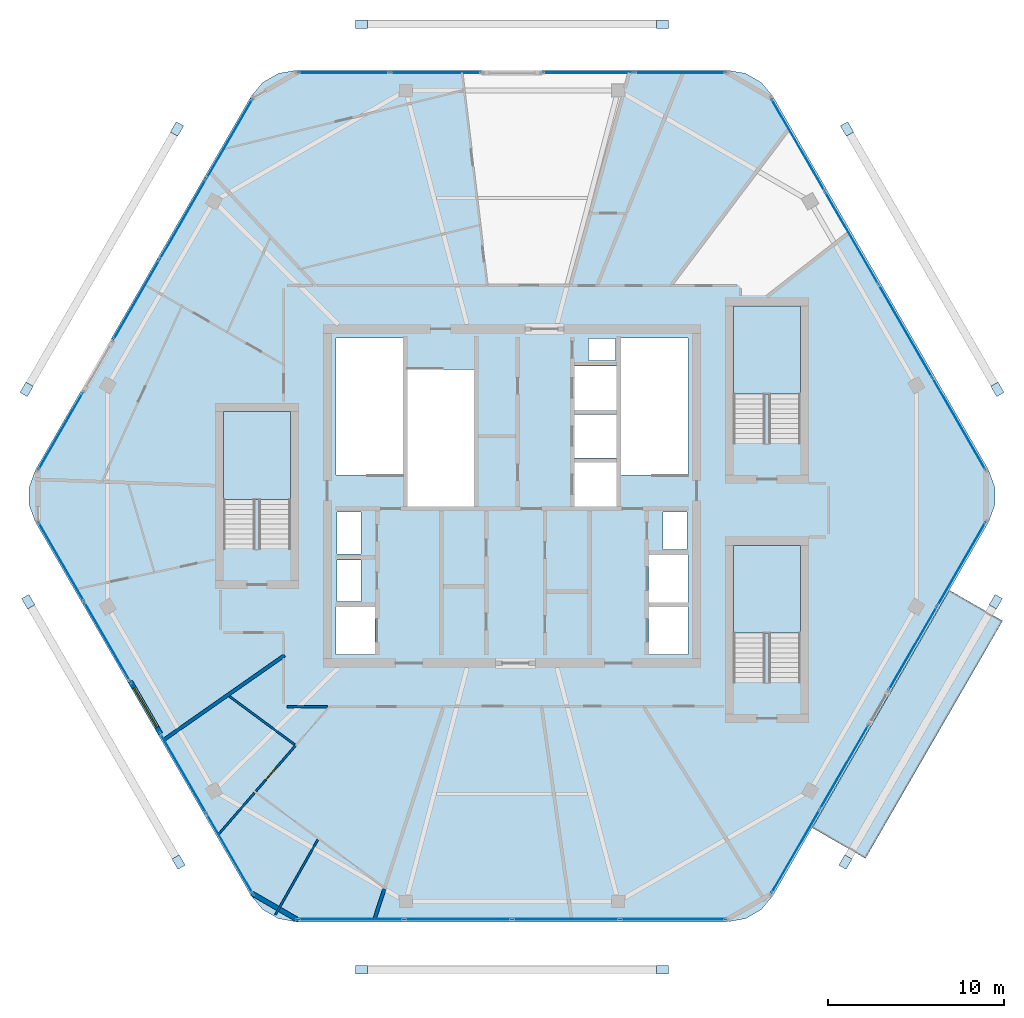
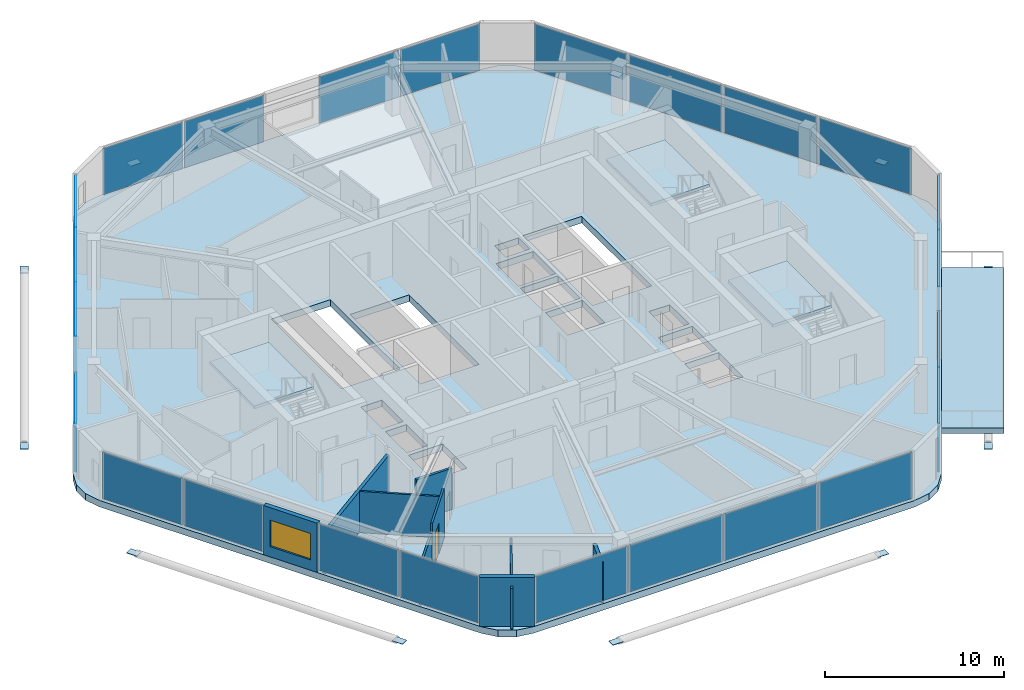
# One storey, part 15 of 22: 36 plates, 9 walls, 5 slabs, 1 door, 1 window, 2 openings, 13 elements without a shape of their own.
"""IFC4 building model written with IfcOpenShell, lengths in metres."""

import ifcopenshell
import ifcopenshell.guid

model = None  # the IFC model being written
_history = None  # IfcOwnerHistory: only IFC2X3 demands one
_inside = {}  # id of a spatial element -> (the spatial element, [elements in it])
_under = {}  # id of a project, library or spatial element -> (it, [spatial elements below it])
_declared = {}  # id of a project -> (the project, [libraries it declares])
_typed = {}  # id of a type object -> (the type object, [elements of that type])
_made_of = {}  # id of a material, layer set ... -> (it, [elements and type objects made of it])


def new_model(schema):
    """Start an empty IFC model of exactly this schema.

    Asked for "IFC4X3", IfcOpenShell would pick the latest addendum, in which some entities
    have other attributes; the version numbers below select the first issue.
    IFC2X3 requires an IfcOwnerHistory on every rooted entity: one is made here for all.
    """
    global model, _history
    if schema == "IFC4X3":
        model = ifcopenshell.file(schema_version=(4, 3, 0, 0))
    else:
        model = ifcopenshell.file(schema=schema)
    _inside.clear()
    _under.clear()
    _declared.clear()
    _typed.clear()
    _made_of.clear()
    _history = None
    if model.schema == "IFC2X3":
        org = make("IfcOrganization", Name="unknown")
        user = make(
            "IfcPersonAndOrganization",
            ThePerson=make("IfcPerson", FamilyName="unknown"),
            TheOrganization=org,
        )
        app = make(
            "IfcApplication",
            ApplicationDeveloper=org,
            Version="unknown",
            ApplicationFullName="unknown",
            ApplicationIdentifier="unknown",
        )
        _history = make(
            "IfcOwnerHistory",
            OwningUser=user,
            OwningApplication=app,
            ChangeAction="ADDED",
            CreationDate=0,
        )
    return model


def make(cls, **values):
    """One entity of the class cls with the attributes given. An attribute that is None is left unset."""
    return model.create_entity(
        cls, **{name: value for name, value in values.items() if value is not None}
    )


def rooted(cls, **values):
    """An entity with a GlobalId (a new one), such as an element, a storey or a relation."""
    return make(cls, GlobalId=ifcopenshell.guid.new(), OwnerHistory=_history, **values)


def si_unit(unit_type, name, prefix=None):
    """IfcSIUnit, for example si_unit("LENGTHUNIT", "METRE", prefix="MILLI")."""
    return make("IfcSIUnit", UnitType=unit_type, Prefix=prefix, Name=name)


def assignment(units):
    """IfcUnitAssignment: the units of a project."""
    return None if units is None else make("IfcUnitAssignment", Units=units)


def point(xyz):
    """IfcCartesianPoint."""
    return None if xyz is None else make("IfcCartesianPoint", Coordinates=xyz)


def direction(xyz):
    """IfcDirection."""
    return None if xyz is None else make("IfcDirection", DirectionRatios=xyz)


def frame(location, z_axis=None, x_axis=None):
    """IfcAxis2Placement3D, a coordinate frame: its origin and axes. An axis left out is left unset."""
    return make(
        "IfcAxis2Placement3D",
        Location=point(location),
        Axis=direction(z_axis),
        RefDirection=direction(x_axis),
    )


def frame_2d(location, x_axis=None):
    """IfcAxis2Placement2D, a coordinate frame in the plane: its origin and x axis."""
    return make(
        "IfcAxis2Placement2D", Location=point(location), RefDirection=direction(x_axis)
    )


def origin():
    """The frame at (0, 0, 0) with its axes left unset."""
    return frame((0.0, 0.0, 0.0))


def origin_2d():
    """The frame at (0, 0) in the plane with its x axis left unset."""
    return frame_2d((0.0, 0.0))


def place(relative_to, where):
    """IfcLocalPlacement: puts the frame where relative to a parent placement (None: the world)."""
    return make(
        "IfcLocalPlacement", PlacementRelTo=relative_to, RelativePlacement=where
    )


def context(
    kind, dimensions, precision=None, world=None, true_north=None, identifier=None
):
    """IfcGeometricRepresentationContext, for example the 3D "Model" context."""
    return make(
        "IfcGeometricRepresentationContext",
        ContextIdentifier=identifier,
        ContextType=kind,
        CoordinateSpaceDimension=dimensions,
        Precision=precision,
        WorldCoordinateSystem=world,
        TrueNorth=true_north,
    )


def subcontext(parent, identifier, kind, view, scale=None):
    """IfcGeometricRepresentationSubContext, for example "Body" below "Model"."""
    return make(
        "IfcGeometricRepresentationSubContext",
        ContextIdentifier=identifier,
        ContextType=kind,
        ParentContext=parent,
        TargetScale=scale,
        TargetView=view,
    )


def project(units=None, contexts=None):
    """IfcProject with its units and contexts."""
    return rooted(
        "IfcProject",
        Name="project",
        RepresentationContexts=contexts,
        UnitsInContext=assignment(units),
    )


def spatial(cls, under=None, at=None, **own):
    """A site, building, storey or space (cls), placed at a placement, below another one or the project."""
    s = rooted(cls, ObjectPlacement=at, **own)
    if under is not None:
        _under.setdefault(under.id(), (under, []))[1].append(s)
    return s


def polyline(points):
    """IfcPolyline through the points."""
    return make("IfcPolyline", Points=[point(p) for p in points])


def profile(cls, at=None, kind="AREA", **sizes):
    """A parametric profile (cls). Its sizes go by their IFC names, for example OverallWidth=200.0."""
    return make(cls, ProfileType=kind, Position=at, **sizes)


def rectangle(**sizes):
    """IfcRectangleProfileDef."""
    return profile("IfcRectangleProfileDef", **sizes)


def outline(outer, holes=None, kind="AREA"):
    """IfcArbitraryClosedProfileDef: a profile drawn as a closed curve; with holes, ...WithVoids."""
    if holes is None:
        return make("IfcArbitraryClosedProfileDef", ProfileType=kind, OuterCurve=outer)
    return make(
        "IfcArbitraryProfileDefWithVoids",
        ProfileType=kind,
        OuterCurve=outer,
        InnerCurves=holes,
    )


def extrude(swept, where, along, depth):
    """IfcExtrudedAreaSolid: the profile swept, set in the frame where, extruded along a direction by depth."""
    return make(
        "IfcExtrudedAreaSolid",
        SweptArea=swept,
        Position=where,
        ExtrudedDirection=direction(along),
        Depth=depth,
    )


def shape(context_of_items, identifier, shape_type, items):
    """IfcShapeRepresentation: the items that make up one representation, for example the "Body"."""
    return make(
        "IfcShapeRepresentation",
        ContextOfItems=context_of_items,
        RepresentationIdentifier=identifier,
        RepresentationType=shape_type,
        Items=items,
    )


def material(Name=None, Category=None):
    """IfcMaterial."""
    return make("IfcMaterial", Name=Name, Category=Category)


def layer(
    of_material, thickness, ventilated=None, Name=None, Category=None, Priority=None
):
    """IfcMaterialLayer: one layer of a wall or slab, of a material (None: an air gap)."""
    return make(
        "IfcMaterialLayer",
        Material=of_material,
        LayerThickness=thickness,
        IsVentilated=ventilated,
        Name=Name,
        Category=Category,
        Priority=Priority,
    )


def layer_set(layers, Name=None):
    """IfcMaterialLayerSet."""
    return make("IfcMaterialLayerSet", MaterialLayers=layers, LayerSetName=Name)


def made_of(thing, what):
    """Note that an element or type object is made of a material, layer set ...; save() writes the relation."""
    if what is not None:
        _made_of.setdefault(what.id(), (what, []))[1].append(thing)
    return thing


def type_object(cls, material=None, **own):
    """A type object (cls), such as IfcWallType, which elements share."""
    return made_of(rooted(cls, **own), material)


def element(
    cls,
    number,
    at=None,
    inside=None,
    cuts=None,
    type_object=None,
    material=None,
    context=None,
    identifier="Body",
    shape_type=None,
    held_by="IfcProductDefinitionShape",
    body=None,
    shapes=None,
    **own,
):
    """One element of the class cls, such as IfcWall. Its Tag is "e" and its number.

    at: its placement. inside: the storey or other place that contains it. cuts: it is an
    opening in that element (IfcRelVoidsElement). A single representation is given by context,
    identifier, shape_type and body (its items); several are given by shapes. held_by: the class
    of the entity that holds the representations. save() writes the other relations.
    """
    e = rooted(cls, Tag="e%d" % number, ObjectPlacement=at, **own)
    if body is not None:
        shapes = [shape(context, identifier, shape_type, body)]
    if shapes is not None:
        e.Representation = make(held_by, Representations=shapes)
    if inside is not None:
        _inside.setdefault(inside.id(), (inside, []))[1].append(e)
    if cuts is not None:
        rooted(
            "IfcRelVoidsElement", RelatingBuildingElement=cuts, RelatedOpeningElement=e
        )
    if type_object is not None:
        _typed.setdefault(type_object.id(), (type_object, []))[1].append(e)
    return made_of(e, material)


def fill(opening, filler):
    """IfcRelFillsElement: the door or window that sits in an opening."""
    return rooted(
        "IfcRelFillsElement",
        RelatingOpeningElement=opening,
        RelatedBuildingElement=filler,
    )


def aggregate(whole, parts):
    """IfcRelAggregates: a whole, such as a stair, and the parts it consists of."""
    return rooted("IfcRelAggregates", RelatingObject=whole, RelatedObjects=parts)


def save(model, path):
    """Write the relations noted so far, then the file.

    IfcRelAggregates (storeys below a building ...), IfcRelContainedInSpatialStructure (elements
    in a storey), IfcRelDefinesByType, IfcRelAssociatesMaterial and IfcRelDeclares: one each for
    every whole, place, type object, material and project.
    """
    for whole, parts in _under.values():
        aggregate(whole, parts)
    for where, things in _inside.values():
        rooted(
            "IfcRelContainedInSpatialStructure",
            RelatedElements=things,
            RelatingStructure=where,
        )
    for kind, things in _typed.values():
        rooted("IfcRelDefinesByType", RelatedObjects=things, RelatingType=kind)
    for what, things in _made_of.values():
        rooted("IfcRelAssociatesMaterial", RelatedObjects=things, RelatingMaterial=what)
    for by, libraries in _declared.values():
        rooted("IfcRelDeclares", RelatingContext=by, RelatedDefinitions=libraries)
    model.write(path)


model = new_model("IFC4")

# Units and contexts
model_context = context("Model", 3, precision=1e-05, world=origin(), true_north=direction((0.0, 1.0)))
body_context = subcontext(model_context, "Body", "Model", "MODEL_VIEW")
ifc_project = project(units=[si_unit("LENGTHUNIT", "METRE"), si_unit("AREAUNIT", "SQUARE_METRE"), si_unit("VOLUMEUNIT", "CUBIC_METRE"), si_unit("PLANEANGLEUNIT", "RADIAN"), si_unit("MASSUNIT", "GRAM", prefix="KILO")], contexts=[model_context])

# Site, building, storey
site_placement = place(None, origin())
site = spatial("IfcSite", under=ifc_project, at=site_placement, CompositionType="ELEMENT")
building_placement = place(site_placement, origin())
building = spatial("IfcBuilding", under=site, at=building_placement, Name="Zuhravey Tower", CompositionType="ELEMENT")
storey_placement = place(building_placement, frame((0.0, 0.0, 357.60009765625)))
storey = spatial("IfcBuildingStorey", under=building, at=storey_placement, Name="L91", CompositionType="ELEMENT", Elevation=357.60009765625)

# Plates
ifc_material_1 = material(Name="Steel SM460", Category="steel")
ifc_layer_1 = layer(ifc_material_1, 0.028076171875)
ifc_layer_set_1 = layer_set([ifc_layer_1], Name="Steel SM460")
plate_type_1 = type_object("IfcPlateType", Name="Exoskeleton Zone 4 Node Plate ND4", PredefinedType="SHEET", material=ifc_layer_set_1)
for number, where, z_axis, x_axis, name in (
    (1, (63.6044921875, 38.0654296875, -0.67822265625), (0.0, 0.0, 1.0), (-0.5, 0.866025403784, 0.0), "L91 Exoskeleton Node Gusset L91-01"),
    (2, (55.05517578125, 52.87353515625, -0.67822265625), (0.0, 0.0, 1.0), (-0.5, 0.866025403784, 0.0), "L91 Exoskeleton Node Gusset L91-02"),
    (3, (44.549560546875, 58.833984375, -0.67822265625), (0.0, 0.0, 1.0), (-1.0, 0.0, 0.0), "L91 Exoskeleton Node Gusset L91-03"),
    (4, (27.450439453125, 58.833984375, -0.67822265625), (0.0, 0.0, 1.0), (-1.0, 0.0, 0.0), "L91 Exoskeleton Node Gusset L91-04"),
    (5, (16.94482421875, 52.87353515625, -0.67822265625), (0.0, 0.0, 1.0), (-0.5, -0.866025403784, 0.0), "L91 Exoskeleton Node Gusset L91-05"),
    (6, (8.3955078125, 38.0654296875, -0.67822265625), (0.0, 0.0, 1.0), (-0.5, -0.866025403784, 0.0), "L91 Exoskeleton Node Gusset L91-06"),
    (7, (8.486328125, 25.987060546875, -0.67822265625), (0.0, 0.0, 1.0), (0.5, -0.866025403784, 0.0), "L91 Exoskeleton Node Gusset L91-07"),
    (8, (17.035888671875, 11.178955078125, -0.67822265625), (0.0, 0.0, 1.0), (0.5, -0.866025403784, 0.0), "L91 Exoskeleton Node Gusset L91-08"),
    (9, (27.450439453125, 5.060791015625, -0.67822265625), (0.0, 0.0, 1.0), (1.0, 0.0, 0.0), "L91 Exoskeleton Node Gusset L91-09"),
    (10, (44.549560546875, 5.060791015625, -0.67822265625), (0.0, 0.0, 1.0), (1.0, 0.0, 0.0), "L91 Exoskeleton Node Gusset L91-10"),
    (11, (54.964111328125, 11.178955078125, -0.67822265625), (0.0, 0.0, 1.0), (0.5, 0.866025403784, 0.0), "L91 Exoskeleton Node Gusset L91-11"),
    (12, (63.513671875, 25.987060546875, -0.67822265625), (0.0, 0.0, 1.0), (0.5, 0.866025403784, 0.0), "L91 Exoskeleton Node Gusset L91-12"),
):
    element("IfcPlate", number, at=place(storey_placement, frame(where, z_axis=z_axis, x_axis=x_axis)), inside=storey, type_object=plate_type_1, Name=name, PredefinedType="SHEET", context=body_context, shape_type="SweptSolid", body=[
        extrude(rectangle(XDim=0.679931640625, YDim=0.47998046875, at=origin_2d()), origin(), (0.0, 0.0, 1.0), 0.028076171875),
    ])

# Slabs
ifc_material_2 = material(Name="Concrete C60/75", Category="concrete")
ifc_layer_2 = layer(ifc_material_2, 0.449951171875)
ifc_layer_set_2 = layer_set([ifc_layer_2], Name="Concrete C60/75")
slab_type_1 = type_object("IfcSlabType", Name="Podium Transfer Floor Slab 450", PredefinedType="FLOOR", material=ifc_layer_set_2)
slab_1_placement = place(storey_placement, frame((0.0, 0.0, -0.4501953125)))
element("IfcSlab", 13, at=slab_1_placement, inside=storey, type_object=slab_type_1, Name="L91 Floor Slab TS45", PredefinedType="FLOOR", context=body_context, shape_type="SweptSolid", body=[
    extrude(outline(polyline([(63.1083984375, 30.52490234375), (63.458740234375, 31.48779296875), (63.458740234375, 32.51220703125), (63.1083984375, 33.47509765625), (50.83154296875, 54.739013671875), (50.173095703125, 55.52392578125), (49.285888671875, 56.0361328125), (48.27685546875, 56.214111328125), (23.72314453125, 56.214111328125), (22.714111328125, 56.0361328125), (21.826904296875, 55.52392578125), (21.16845703125, 54.739013671875), (8.8916015625, 33.47509765625), (8.541259765625, 32.51220703125), (8.541259765625, 31.48779296875), (8.8916015625, 30.52490234375), (21.16845703125, 9.260986328125), (21.826904296875, 8.47607421875), (22.714111328125, 7.9638671875), (23.72314453125, 7.785888671875), (48.27685546875, 7.785888671875), (49.285888671875, 7.9638671875), (50.173095703125, 8.47607421875), (50.83154296875, 9.260986328125), (63.1083984375, 30.52490234375)]), holes=[polyline([(29.800048828125, 33.20068359375), (29.800048828125, 41.0), (26.0, 41.0), (26.0, 33.20068359375), (29.800048828125, 33.20068359375)]), polyline([(46.0, 33.20068359375), (46.0, 41.0), (42.199951171875, 41.0), (42.199951171875, 33.20068359375), (46.0, 33.20068359375)]), polyline([(30.050048828125, 39.199462890625), (30.050048828125, 31.39990234375), (33.85009765625, 31.39990234375), (33.85009765625, 39.199462890625), (30.050048828125, 39.199462890625)]), polyline([(39.550048828125, 31.39990234375), (41.949951171875, 31.39990234375), (41.949951171875, 33.89990234375), (39.550048828125, 33.89990234375), (39.550048828125, 31.39990234375)]), polyline([(39.550048828125, 34.14990234375), (41.949951171875, 34.14990234375), (41.949951171875, 36.64990234375), (39.550048828125, 36.64990234375), (39.550048828125, 34.14990234375)]), polyline([(39.550048828125, 36.89990234375), (41.949951171875, 36.89990234375), (41.949951171875, 39.39990234375), (39.550048828125, 39.39990234375), (39.550048828125, 36.89990234375)]), polyline([(26.0, 23.0), (28.199951171875, 23.0), (28.199951171875, 25.699951171875), (26.0, 25.699951171875), (26.0, 23.0)]), polyline([(43.800048828125, 23.0), (46.0, 23.0), (46.0, 25.699951171875), (43.800048828125, 25.699951171875), (43.800048828125, 23.0)]), polyline([(43.800048828125, 25.949951171875), (46.0, 25.949951171875), (46.0, 28.64990234375), (43.800048828125, 28.64990234375), (43.800048828125, 25.949951171875)]), polyline([(26.050048828125, 26.0), (27.39990234375, 26.0), (27.39990234375, 28.35009765625), (26.050048828125, 28.35009765625), (26.050048828125, 26.0)]), polyline([(26.050048828125, 28.699951171875), (27.39990234375, 28.699951171875), (27.39990234375, 31.10009765625), (26.050048828125, 31.10009765625), (26.050048828125, 28.699951171875)]), polyline([(44.60009765625, 28.949951171875), (45.949951171875, 28.949951171875), (45.949951171875, 31.10009765625), (44.60009765625, 31.10009765625), (44.60009765625, 28.949951171875)]), polyline([(40.35009765625, 39.699951171875), (41.89990234375, 39.699951171875), (41.89990234375, 40.949951171875), (40.35009765625, 40.949951171875), (40.35009765625, 39.699951171875)])]), origin(), (0.0, 0.0, 1.0), 0.4501953125),
])
ifc_material_3 = material(Name="Concrete C50/60", Category="concrete")
ifc_layer_3 = layer(ifc_material_3, 0.3798828125)
ifc_layer_set_3 = layer_set([ifc_layer_3], Name="Concrete C50/60")
slab_type_2 = type_object("IfcSlabType", Name="Sky-Pool Structural Deck Slab 380", PredefinedType="FLOOR", material=ifc_layer_set_3)
slab_2_placement = place(storey_placement, frame((0.0, 0.0, -0.380126953125)))
element("IfcSlab", 14, at=slab_2_placement, inside=storey, type_object=slab_type_2, Name="L91 Cantilevered Sky-Pool Deck SPD38", PredefinedType="FLOOR", context=body_context, shape_type="SweptSolid", body=[
    extrude(outline(polyline([(53.0830078125, 13.13037109375), (60.883056640625, 26.640380859375), (63.901123046875, 24.89794921875), (56.10107421875, 11.387939453125), (53.0830078125, 13.13037109375)])), origin(), (0.0, 0.0, 1.0), 0.380126953125),
])

# Stair, slab
ifc_material_4 = material(Name="Concrete C40/50", Category="concrete")
stair_type = type_object("IfcStairType", Name="Housing Storey Stair Assembly 3800", PredefinedType="HALF_TURN_STAIR", material=ifc_material_4)
stair_1_placement = place(storey_placement, origin())
stair_1 = element("IfcStair", 15, at=stair_1_placement, inside=storey, type_object=stair_type, Name="L91 West Crest Stair CST1", PredefinedType="HALF_TURN_STAIR")
ifc_layer_4 = layer(ifc_material_4, 0.199951171875)
ifc_layer_set_4 = layer_set([ifc_layer_4], Name="Concrete C40/50")
slab_type_3 = type_object("IfcSlabType", Name="Stair Landing Slab 200", PredefinedType="LANDING", material=ifc_layer_set_4)
slab_3_placement = place(storey_placement, frame((0.0, 0.0, 1.699951171875)))
slab_3 = element("IfcSlab", 16, at=slab_3_placement, type_object=slab_type_3, Name="CST1 landing 1", PredefinedType="LANDING", context=body_context, shape_type="SweptSolid", body=[
    extrude(outline(polyline([(23.39990234375, 31.800048828125), (23.39990234375, 36.800048828125), (19.60009765625, 36.800048828125), (19.60009765625, 31.800048828125), (23.39990234375, 31.800048828125)])), origin(), (0.0, 0.0, 1.0), 0.199951171875),
])
aggregate(stair_1, [slab_3])

stair_2_placement = place(storey_placement, origin())
stair_2 = element("IfcStair", 17, at=stair_2_placement, inside=storey, type_object=stair_type, Name="L91 East Crest South Stair CST2", PredefinedType="HALF_TURN_STAIR")
slab_4_placement = place(storey_placement, frame((0.0, 0.0, 1.699951171875)))
slab_4 = element("IfcSlab", 18, at=slab_4_placement, type_object=slab_type_3, Name="CST2 landing 1", PredefinedType="LANDING", context=body_context, shape_type="SweptSolid", body=[
    extrude(outline(polyline([(52.39990234375, 24.199951171875), (52.39990234375, 29.199951171875), (48.60009765625, 29.199951171875), (48.60009765625, 24.199951171875), (52.39990234375, 24.199951171875)])), origin(), (0.0, 0.0, 1.0), 0.199951171875),
])
aggregate(stair_2, [slab_4])

stair_3_placement = place(storey_placement, origin())
stair_3 = element("IfcStair", 19, at=stair_3_placement, inside=storey, type_object=stair_type, Name="L91 East Crest North Stair CST3", PredefinedType="HALF_TURN_STAIR")
slab_5_placement = place(storey_placement, frame((0.0, 0.0, 1.699951171875)))
slab_5 = element("IfcSlab", 20, at=slab_5_placement, type_object=slab_type_3, Name="CST3 landing 1", PredefinedType="LANDING", context=body_context, shape_type="SweptSolid", body=[
    extrude(outline(polyline([(52.39990234375, 37.800048828125), (52.39990234375, 42.800048828125), (48.60009765625, 42.800048828125), (48.60009765625, 37.800048828125), (52.39990234375, 37.800048828125)])), origin(), (0.0, 0.0, 1.0), 0.199951171875),
])
aggregate(stair_3, [slab_5])

# Curtain wall, plates
ifc_material_5 = material(Name="Thermally broken anodised aluminium", Category="aluminium")
curtain_wall_type = type_object("IfcCurtainWallType", Name="Zone 3-4 High-Rise Curtain Wall CW4", PredefinedType="NOTDEFINED", material=ifc_material_5)
curtain_wall_1_placement = place(storey_placement, origin())
curtain_wall_1 = element("IfcCurtainWall", 21, at=curtain_wall_1_placement, inside=storey, type_object=curtain_wall_type, Name="L91 CW4 CW-L91-F6-1", PredefinedType="NOTDEFINED")
ifc_material_6 = material(Name="Triple low-E insulated vision glass", Category="glass")
ifc_layer_5 = layer(ifc_material_6, 0.0419921875)
ifc_layer_set_5 = layer_set([ifc_layer_5], Name="Triple low-E insulated vision glass")
plate_type_2 = type_object("IfcPlateType", Name="Triple Low-E Vision Panel", PredefinedType="CURTAIN_PANEL", material=ifc_layer_set_5)
plate_1_placement = place(storey_placement, frame((61.564697265625, 28.13134765625, 0.08984375), z_axis=(0.0, 0.0, 1.0), x_axis=(-0.499997285828, -0.866026970807, 0.0)))
plate_1 = element("IfcPlate", 22, at=plate_1_placement, type_object=plate_type_2, Name="CW4 panel 1.1", PredefinedType="CURTAIN_PANEL", context=body_context, shape_type="SweptSolid", body=[
    extrude(rectangle(XDim=5.4345703125, YDim=0.0419921875, at=origin_2d()), origin(), (0.0, 0.0, 1.0), 3.169921875),
])
plate_2_placement = place(storey_placement, frame((58.802490234375, 23.346923828125, 0.08984375), z_axis=(0.0, 0.0, 1.0), x_axis=(-0.499997285828, -0.866026970807, 0.0)))
plate_2 = element("IfcPlate", 23, at=plate_2_placement, type_object=plate_type_2, Name="CW4 panel 2.1", PredefinedType="CURTAIN_PANEL", context=body_context, shape_type="SweptSolid", body=[
    extrude(rectangle(XDim=5.4345703125, YDim=0.0419921875, at=origin_2d()), origin(), (0.0, 0.0, 1.0), 3.169921875),
])
aggregate(curtain_wall_1, [plate_1, plate_2])

curtain_wall_2_placement = place(storey_placement, origin())
curtain_wall_2 = element("IfcCurtainWall", 24, at=curtain_wall_2_placement, inside=storey, type_object=curtain_wall_type, Name="L91 CW4 CW-L91-F6-2", PredefinedType="NOTDEFINED")
plate_3_placement = place(storey_placement, frame((54.89501953125, 16.5791015625, 0.08984375), z_axis=(0.0, 0.0, 1.0), x_axis=(-0.500004018739, -0.866023083552, 0.0)))
plate_3 = element("IfcPlate", 25, at=plate_3_placement, type_object=plate_type_2, Name="CW4 panel 1.1", PredefinedType="CURTAIN_PANEL", context=body_context, shape_type="SweptSolid", body=[
    extrude(rectangle(XDim=5.4345703125, YDim=0.0419921875, at=origin_2d()), origin(), (0.0, 0.0, 1.0), 3.169921875),
])
plate_4_placement = place(storey_placement, frame((52.1328125, 11.794677734375, 0.08984375), z_axis=(0.0, 0.0, 1.0), x_axis=(-0.500004018739, -0.866023083552, 0.0)))
plate_4 = element("IfcPlate", 26, at=plate_4_placement, type_object=plate_type_2, Name="CW4 panel 2.1", PredefinedType="CURTAIN_PANEL", context=body_context, shape_type="SweptSolid", body=[
    extrude(rectangle(XDim=5.4345703125, YDim=0.0419921875, at=origin_2d()), origin(), (0.0, 0.0, 1.0), 3.169921875),
])
aggregate(curtain_wall_2, [plate_3, plate_4])

curtain_wall_3_placement = place(storey_placement, origin())
curtain_wall_3 = element("IfcCurtainWall", 27, at=curtain_wall_3_placement, inside=storey, type_object=curtain_wall_type, Name="L91 CW4 CW-L91-F5-1", PredefinedType="NOTDEFINED")
plate_5_placement = place(storey_placement, frame((45.156982421875, 7.92578125, 0.08984375), z_axis=(0.0, 0.0, 1.0), x_axis=(-1.0, 0.0, 0.0)))
plate_5 = element("IfcPlate", 28, at=plate_5_placement, type_object=plate_type_2, Name="CW4 panel 1.1", PredefinedType="CURTAIN_PANEL", context=body_context, shape_type="SweptSolid", body=[
    extrude(rectangle(XDim=5.984619140625, YDim=0.0419921875, at=origin_2d()), origin(), (0.0, 0.0, 1.0), 3.169921875),
])
plate_6_placement = place(storey_placement, frame((39.059814453125, 7.92578125, 0.08984375), z_axis=(0.0, 0.0, 1.0), x_axis=(-1.0, 0.0, 0.0)))
plate_6 = element("IfcPlate", 29, at=plate_6_placement, type_object=plate_type_2, Name="CW4 panel 2.1", PredefinedType="CURTAIN_PANEL", context=body_context, shape_type="SweptSolid", body=[
    extrude(rectangle(XDim=6.029541015625, YDim=0.0419921875, at=origin_2d()), origin(), (0.0, 0.0, 1.0), 3.169921875),
])
plate_7_placement = place(storey_placement, frame((32.940185546875, 7.92578125, 0.08984375), z_axis=(0.0, 0.0, 1.0), x_axis=(-1.0, 0.0, 0.0)))
plate_7 = element("IfcPlate", 30, at=plate_7_placement, type_object=plate_type_2, Name="CW4 panel 3.1", PredefinedType="CURTAIN_PANEL", context=body_context, shape_type="SweptSolid", body=[
    extrude(rectangle(XDim=6.029541015625, YDim=0.0419921875, at=origin_2d()), origin(), (0.0, 0.0, 1.0), 3.169921875),
])
plate_8_placement = place(storey_placement, frame((26.843017578125, 7.92578125, 0.08984375), z_axis=(0.0, 0.0, 1.0), x_axis=(-1.0, 0.0, 0.0)))
plate_8 = element("IfcPlate", 31, at=plate_8_placement, type_object=plate_type_2, Name="CW4 panel 4.1", PredefinedType="CURTAIN_PANEL", context=body_context, shape_type="SweptSolid", body=[
    extrude(rectangle(XDim=5.984619140625, YDim=0.0419921875, at=origin_2d()), origin(), (0.0, 0.0, 1.0), 3.169921875),
])
aggregate(curtain_wall_3, [plate_5, plate_6, plate_7, plate_8])

curtain_wall_4_placement = place(storey_placement, origin())
curtain_wall_4 = element("IfcCurtainWall", 32, at=curtain_wall_4_placement, inside=storey, type_object=curtain_wall_type, Name="L91 CW4 CW-L91-F4-1", PredefinedType="NOTDEFINED")
plate_9_placement = place(storey_placement, frame((19.939208984375, 11.670166015625, 0.08984375), z_axis=(0.0, 0.0, 1.0), x_axis=(-0.49999448997, 0.866028584979, 0.0)))
plate_9 = element("IfcPlate", 33, at=plate_9_placement, type_object=plate_type_2, Name="CW4 panel 1.1", PredefinedType="CURTAIN_PANEL", context=body_context, shape_type="SweptSolid", body=[
    extrude(rectangle(XDim=5.147216796875, YDim=0.0419921875, at=origin_2d()), origin(), (0.0, 0.0, 1.0), 3.169921875),
])
plate_10_placement = place(storey_placement, frame((17.320556640625, 16.20556640625, 0.08984375), z_axis=(0.0, 0.0, 1.0), x_axis=(-0.49999448997, 0.866028584979, 0.0)))
plate_10 = element("IfcPlate", 34, at=plate_10_placement, type_object=plate_type_2, Name="CW4 panel 2.1", PredefinedType="CURTAIN_PANEL", context=body_context, shape_type="SweptSolid", body=[
    extrude(rectangle(XDim=5.147216796875, YDim=0.0419921875, at=origin_2d()), origin(), (0.0, 0.0, 1.0), 3.169921875),
])
aggregate(curtain_wall_4, [plate_9, plate_10])

curtain_wall_5_placement = place(storey_placement, origin())
curtain_wall_5 = element("IfcCurtainWall", 35, at=curtain_wall_5_placement, inside=storey, type_object=curtain_wall_type, Name="L91 CW4 CW-L91-F4-2", PredefinedType="NOTDEFINED")
plate_11_placement = place(storey_placement, frame((12.98193359375, 23.72021484375, 0.08984375), z_axis=(0.0, 0.0, 1.0), x_axis=(-0.500001589341, 0.866024486176, 0.0)))
plate_11 = element("IfcPlate", 36, at=plate_11_placement, type_object=plate_type_2, Name="CW4 panel 1.1", PredefinedType="CURTAIN_PANEL", context=body_context, shape_type="SweptSolid", body=[
    extrude(rectangle(XDim=5.147216796875, YDim=0.0419921875, at=origin_2d()), origin(), (0.0, 0.0, 1.0), 3.169921875),
])
plate_12_placement = place(storey_placement, frame((10.36328125, 28.255859375, 0.08984375), z_axis=(0.0, 0.0, 1.0), x_axis=(-0.500001589341, 0.866024486176, 0.0)))
plate_12 = element("IfcPlate", 37, at=plate_12_placement, type_object=plate_type_2, Name="CW4 panel 2.1", PredefinedType="CURTAIN_PANEL", context=body_context, shape_type="SweptSolid", body=[
    extrude(rectangle(XDim=5.147216796875, YDim=0.0419921875, at=origin_2d()), origin(), (0.0, 0.0, 1.0), 3.169921875),
])
aggregate(curtain_wall_5, [plate_11, plate_12])

# Curtain wall, plate
curtain_wall_6_placement = place(storey_placement, origin())
curtain_wall_6 = element("IfcCurtainWall", 38, at=curtain_wall_6_placement, inside=storey, type_object=curtain_wall_type, Name="L91 CW4 CW-L91-F3-1", PredefinedType="NOTDEFINED")
plate_13_placement = place(storey_placement, frame((10.326416015625, 35.679931640625, 0.08984375), z_axis=(0.0, 0.0, 1.0), x_axis=(0.50000380979, 0.86602320419, 0.0)))
plate_13 = element("IfcPlate", 39, at=plate_13_placement, type_object=plate_type_2, Name="CW4 panel 1.1", PredefinedType="CURTAIN_PANEL", context=body_context, shape_type="SweptSolid", body=[
    extrude(rectangle(XDim=4.9990234375, YDim=0.0419921875, at=origin_2d()), origin(), (0.0, 0.0, 1.0), 3.169921875),
])
aggregate(curtain_wall_6, [plate_13])

# Curtain wall, plates
curtain_wall_7_placement = place(storey_placement, origin())
curtain_wall_7 = element("IfcCurtainWall", 40, at=curtain_wall_7_placement, inside=storey, type_object=curtain_wall_type, Name="L91 CW4 CW-L91-F3-2", PredefinedType="NOTDEFINED")
plate_14_placement = place(storey_placement, frame((14.636474609375, 43.1455078125, 0.08984375), z_axis=(0.0, 0.0, 1.0), x_axis=(0.499998880931, 0.866026049878, 0.0)))
plate_14 = element("IfcPlate", 41, at=plate_14_placement, type_object=plate_type_2, Name="CW4 panel 1.1", PredefinedType="CURTAIN_PANEL", context=body_context, shape_type="SweptSolid", body=[
    extrude(rectangle(XDim=5.181640625, YDim=0.0419921875, at=origin_2d()), origin(), (0.0, 0.0, 1.0), 3.169921875),
])
plate_15_placement = place(storey_placement, frame((17.283447265625, 47.730224609375, 0.08984375), z_axis=(0.0, 0.0, 1.0), x_axis=(0.499998880931, 0.866026049878, 0.0)))
plate_15 = element("IfcPlate", 42, at=plate_15_placement, type_object=plate_type_2, Name="CW4 panel 2.1", PredefinedType="CURTAIN_PANEL", context=body_context, shape_type="SweptSolid", body=[
    extrude(rectangle(XDim=5.2265625, YDim=0.0419921875, at=origin_2d()), origin(), (0.0, 0.0, 1.0), 3.169921875),
])
plate_16_placement = place(storey_placement, frame((19.930419921875, 52.31494140625, 0.08984375), z_axis=(0.0, 0.0, 1.0), x_axis=(0.499998880931, 0.866026049878, 0.0)))
plate_16 = element("IfcPlate", 43, at=plate_16_placement, type_object=plate_type_2, Name="CW4 panel 3.1", PredefinedType="CURTAIN_PANEL", context=body_context, shape_type="SweptSolid", body=[
    extrude(rectangle(XDim=5.181640625, YDim=0.0419921875, at=origin_2d()), origin(), (0.0, 0.0, 1.0), 3.169921875),
])
aggregate(curtain_wall_7, [plate_14, plate_15, plate_16])

curtain_wall_8_placement = place(storey_placement, origin())
curtain_wall_8 = element("IfcCurtainWall", 44, at=curtain_wall_8_placement, inside=storey, type_object=curtain_wall_type, Name="L91 CW4 CW-L91-F2-1", PredefinedType="NOTDEFINED")
plate_17_placement = place(storey_placement, frame((26.42431640625, 56.07421875, 0.08984375), z_axis=(0.0, 0.0, 1.0), x_axis=(1.0, 0.0, 0.0)))
plate_17 = element("IfcPlate", 45, at=plate_17_placement, type_object=plate_type_2, Name="CW4 panel 1.1", PredefinedType="CURTAIN_PANEL", context=body_context, shape_type="SweptSolid", body=[
    extrude(rectangle(XDim=5.147216796875, YDim=0.0419921875, at=origin_2d()), origin(), (0.0, 0.0, 1.0), 3.169921875),
])
plate_18_placement = place(storey_placement, frame((31.661376953125, 56.07421875, 0.08984375), z_axis=(0.0, 0.0, 1.0), x_axis=(1.0, 0.0, 0.0)))
plate_18 = element("IfcPlate", 46, at=plate_18_placement, type_object=plate_type_2, Name="CW4 panel 2.1", PredefinedType="CURTAIN_PANEL", context=body_context, shape_type="SweptSolid", body=[
    extrude(rectangle(XDim=5.147216796875, YDim=0.0419921875, at=origin_2d()), origin(), (0.0, 0.0, 1.0), 3.169921875),
])
aggregate(curtain_wall_8, [plate_17, plate_18])

curtain_wall_9_placement = place(storey_placement, origin())
curtain_wall_9 = element("IfcCurtainWall", 47, at=curtain_wall_9_placement, inside=storey, type_object=curtain_wall_type, Name="L91 CW4 CW-L91-F2-2", PredefinedType="NOTDEFINED")
plate_19_placement = place(storey_placement, frame((40.338623046875, 56.07421875, 0.08984375), z_axis=(0.0, 0.0, 1.0), x_axis=(1.0, 0.0, 0.0)))
plate_19 = element("IfcPlate", 48, at=plate_19_placement, type_object=plate_type_2, Name="CW4 panel 1.1", PredefinedType="CURTAIN_PANEL", context=body_context, shape_type="SweptSolid", body=[
    extrude(rectangle(XDim=5.147216796875, YDim=0.0419921875, at=origin_2d()), origin(), (0.0, 0.0, 1.0), 3.169921875),
])
plate_20_placement = place(storey_placement, frame((45.57568359375, 56.07421875, 0.08984375), z_axis=(0.0, 0.0, 1.0), x_axis=(1.0, 0.0, 0.0)))
plate_20 = element("IfcPlate", 49, at=plate_20_placement, type_object=plate_type_2, Name="CW4 panel 2.1", PredefinedType="CURTAIN_PANEL", context=body_context, shape_type="SweptSolid", body=[
    extrude(rectangle(XDim=5.147216796875, YDim=0.0419921875, at=origin_2d()), origin(), (0.0, 0.0, 1.0), 3.169921875),
])
aggregate(curtain_wall_9, [plate_19, plate_20])

curtain_wall_10_placement = place(storey_placement, origin())
curtain_wall_10 = element("IfcCurtainWall", 50, at=curtain_wall_10_placement, inside=storey, type_object=curtain_wall_type, Name="L91 CW4 CW-L91-F1-1", PredefinedType="NOTDEFINED")
plate_21_placement = place(storey_placement, frame((52.270263671875, 51.96728515625, 0.08984375), z_axis=(0.0, 0.0, 1.0), x_axis=(0.49999981336, -0.866025511541, 0.0)))
plate_21 = element("IfcPlate", 51, at=plate_21_placement, type_object=plate_type_2, Name="CW4 panel 1.1", PredefinedType="CURTAIN_PANEL", context=body_context, shape_type="SweptSolid", body=[
    extrude(rectangle(XDim=5.984619140625, YDim=0.0419921875, at=origin_2d()), origin(), (0.0, 0.0, 1.0), 3.169921875),
])
plate_22_placement = place(storey_placement, frame((55.31884765625, 46.68701171875, 0.08984375), z_axis=(0.0, 0.0, 1.0), x_axis=(0.49999981336, -0.866025511541, 0.0)))
plate_22 = element("IfcPlate", 52, at=plate_22_placement, type_object=plate_type_2, Name="CW4 panel 2.1", PredefinedType="CURTAIN_PANEL", context=body_context, shape_type="SweptSolid", body=[
    extrude(rectangle(XDim=6.029541015625, YDim=0.0419921875, at=origin_2d()), origin(), (0.0, 0.0, 1.0), 3.169921875),
])
plate_23_placement = place(storey_placement, frame((58.378662109375, 41.38720703125, 0.08984375), z_axis=(0.0, 0.0, 1.0), x_axis=(0.49999981336, -0.866025511541, 0.0)))
plate_23 = element("IfcPlate", 53, at=plate_23_placement, type_object=plate_type_2, Name="CW4 panel 3.1", PredefinedType="CURTAIN_PANEL", context=body_context, shape_type="SweptSolid", body=[
    extrude(rectangle(XDim=6.029541015625, YDim=0.0419921875, at=origin_2d()), origin(), (0.0, 0.0, 1.0), 3.169921875),
])
plate_24_placement = place(storey_placement, frame((61.42724609375, 36.10693359375, 0.08984375), z_axis=(0.0, 0.0, 1.0), x_axis=(0.49999981336, -0.866025511541, 0.0)))
plate_24 = element("IfcPlate", 54, at=plate_24_placement, type_object=plate_type_2, Name="CW4 panel 4.1", PredefinedType="CURTAIN_PANEL", context=body_context, shape_type="SweptSolid", body=[
    extrude(rectangle(XDim=5.984619140625, YDim=0.0419921875, at=origin_2d()), origin(), (0.0, 0.0, 1.0), 3.169921875),
])
aggregate(curtain_wall_10, [plate_21, plate_22, plate_23, plate_24])

# Walls
ifc_material_7 = material(Name="Gypsum fire-rated stud partition")
ifc_layer_6 = layer(ifc_material_7, 0.159912109375)
ifc_layer_set_6 = layer_set([ifc_layer_6], Name="Gypsum fire-rated stud partition")
wall_type_1 = type_object("IfcWallType", Name="Corridor Fire Partition 160", PredefinedType="PARTITIONING", material=ifc_layer_set_6)
wall_1_placement = place(storey_placement, frame((23.199951171875, 20.02001953125, 0.0), z_axis=(0.0, 0.0, 1.0), x_axis=(1.0, 0.0, 0.0)))
element("IfcWall", 55, at=wall_1_placement, inside=storey, type_object=wall_type_1, Name="L91 IW16 Partition 084", PredefinedType="PARTITIONING", context=body_context, shape_type="SweptSolid", body=[
    extrude(rectangle(XDim=2.31787109375, YDim=0.159912109375, at=frame_2d((1.158935546875, 0.0))), origin(), (0.0, 0.0, 1.0), 2.7998046875),
])
ifc_material_8 = material(Name="Precast concrete C40/50", Category="concrete")
ifc_layer_7 = layer(ifc_material_8, 0.280029296875)
ifc_layer_set_7 = layer_set([ifc_layer_7], Name="Precast concrete C40/50")
wall_type_2 = type_object("IfcWallType", Name="Crown Architectural Wall 280", PredefinedType="SOLIDWALL", material=ifc_layer_set_7)
wall_2_placement = place(storey_placement, frame((23.843017578125, 7.87841796875, 0.0), z_axis=(0.0, 0.0, 1.0), x_axis=(-0.866023752521, 0.50000286006, 0.0)))
element("IfcWall", 56, at=wall_2_placement, inside=storey, type_object=wall_type_2, Name="L91 Rounded Corner Closure Wall EW28-04", PredefinedType="SOLIDWALL", context=body_context, shape_type="SweptSolid", body=[
    extrude(rectangle(XDim=3.06494140625, YDim=0.280029296875, at=frame_2d((1.532470703125, 0.0))), origin(), (0.0, 0.0, 1.0), 3.349853515625),
])

# Wall, opening, window
wall_3_placement = place(storey_placement, frame((16.01123046875, 18.473388671875, 0.0), z_axis=(0.0, 0.0, 1.0), x_axis=(-0.500009156386, 0.866020117278, 0.0)))
wall_3 = element("IfcWall", 57, at=wall_3_placement, inside=storey, type_object=wall_type_2, Name="L91 Face 4 Facade Pier EW28-1", PredefinedType="SOLIDWALL", context=body_context, shape_type="SweptSolid", body=[
    extrude(rectangle(XDim=3.43994140625, YDim=0.280029296875, at=frame_2d((1.719970703125, 0.0))), origin(), (0.0, 0.0, 1.0), 3.349853515625),
])
opening_1_placement = place(wall_3_placement, frame((0.419921875, 0.0, 0.699951171875)))
opening_1 = element("IfcOpeningElement", 58, at=opening_1_placement, cuts=wall_3, Name="Opening WN4", PredefinedType="OPENING", context=body_context, shape_type="SweptSolid", body=[
    extrude(rectangle(XDim=2.60009765625, YDim=1.800048828125, at=frame_2d((1.300048828125, 0.89990234375))), frame((0.0, 0.152099609375, 0.0), z_axis=(0.0, -1.0, 0.0), x_axis=(1.0, 0.0, 0.0)), (0.0, 0.0, 1.0), 0.303955078125),
])
ifc_material_9 = material(Name="Thermally broken aluminium and triple low-E glass", Category="aluminium")
window_type = type_object("IfcWindowType", Name="Sky-Pool Observatory Window 2600x1800", PartitioningType="SINGLE_PANEL", PredefinedType="WINDOW", material=ifc_material_9)
window_placement = place(opening_1_placement, origin())
window = element("IfcWindow", 59, at=window_placement, inside=storey, type_object=window_type, Name="L91 Face 4 Feature Window", OverallHeight=1.800048828125, OverallWidth=2.60009765625, PartitioningType="SINGLE_PANEL", PredefinedType="WINDOW", context=body_context, shape_type="SweptSolid", body=[
    extrude(rectangle(XDim=2.60009765625, YDim=1.800048828125, at=frame_2d((1.300048828125, 0.89990234375))), frame((0.0, 0.030029296875, 0.0), z_axis=(0.0, -1.0, 0.0), x_axis=(1.0, 0.0, 0.0)), (0.0, 0.0, 1.0), 0.06005859375),
])
fill(opening_1, window)

# Walls
ifc_material_10 = material(Name="Gypsum double-stud party assembly")
ifc_layer_8 = layer(ifc_material_10, 0.199951171875)
ifc_layer_set_8 = layer_set([ifc_layer_8], Name="Gypsum double-stud party assembly")
wall_type_3 = type_object("IfcWallType", Name="Inter-Tenancy Party Wall 200", PredefinedType="PARTITIONING", material=ifc_layer_set_8)
wall_4_placement = place(storey_placement, frame((23.06005859375, 22.939208984375, 0.0), z_axis=(0.0, 0.0, 1.0), x_axis=(-0.819159279368, -0.573566103448, 0.0)))
element("IfcWall", 60, at=wall_4_placement, inside=storey, type_object=wall_type_3, Name="L91 IW20 Partition 068", PredefinedType="PARTITIONING", context=body_context, shape_type="SweptSolid", body=[
    extrude(rectangle(XDim=8.369140625, YDim=0.199951171875, at=frame_2d((4.1845703125, 0.0))), origin(), (0.0, 0.0, 1.0), 2.77001953125),
])
wall_5_placement = place(storey_placement, frame((28.73876953125, 9.652099609375, 0.0), z_axis=(0.0, 0.0, 1.0), x_axis=(-0.308955291245, -0.951076562644, 0.0)))
element("IfcWall", 61, at=wall_5_placement, inside=storey, type_object=wall_type_3, Name="L91 IW20 Partition 073", PredefinedType="PARTITIONING", context=body_context, shape_type="SweptSolid", body=[
    extrude(rectangle(XDim=1.815185546875, YDim=0.199951171875, at=frame_2d((0.90771484375, 0.0))), origin(), (0.0, 0.0, 1.0), 2.77001953125),
])

# Wall, opening, door
ifc_material_11 = material(Name="Gypsum metal-stud partition")
ifc_layer_9 = layer(ifc_material_11, 0.1201171875)
ifc_layer_set_9 = layer_set([ifc_layer_9], Name="Gypsum metal-stud partition")
wall_type_4 = type_object("IfcWallType", Name="Unit Internal Partition 120", PredefinedType="PARTITIONING", material=ifc_layer_set_9)
wall_6_placement = place(storey_placement, frame((23.681884765625, 17.7998046875, 0.0), z_axis=(0.0, 0.0, 1.0), x_axis=(-0.655229787073, -0.755429630166, 0.0)))
wall_6 = element("IfcWall", 62, at=wall_6_placement, inside=storey, type_object=wall_type_4, Name="L91 IW12 Partition 040", PredefinedType="PARTITIONING", context=body_context, shape_type="SweptSolid", body=[
    extrude(rectangle(XDim=3.416015625, YDim=0.1201171875, at=frame_2d((1.7080078125, 0.0))), origin(), (0.0, 0.0, 1.0), 3.349853515625),
])
opening_2_placement = place(wall_6_placement, frame((1.627197265625, 0.0, 0.0)))
opening_2 = element("IfcOpeningElement", 63, at=opening_2_placement, cuts=wall_6, Name="Opening IND1", PredefinedType="OPENING", context=body_context, shape_type="SweptSolid", body=[
    extrude(rectangle(XDim=0.949951171875, YDim=2.10009765625, at=frame_2d((0.47509765625, 1.050048828125))), frame((0.0, 0.072021484375, 0.0), z_axis=(0.0, -1.0, 0.0), x_axis=(1.0, 0.0, 0.0)), (0.0, 0.0, 1.0), 0.14404296875),
])
ifc_material_12 = material(Name="Painted engineered timber leaf", Category="wood")
door_type = type_object("IfcDoorType", Name="Internal Room & Bedroom Door 950x2100", OperationType="NOTDEFINED", PredefinedType="DOOR", material=ifc_material_12)
door_placement = place(opening_2_placement, frame((0.949951171875, 0.0, 0.0), z_axis=(0.0, 0.0, 1.0), x_axis=(-1.0, 0.0, 0.0)))
door = element("IfcDoor", 64, at=door_placement, inside=storey, type_object=door_type, Name="Apartment L91-04 Bedroom 1 Door", OperationType="SINGLE_SWING_RIGHT", OverallHeight=2.10009765625, OverallWidth=0.949951171875, PredefinedType="DOOR", context=body_context, shape_type="SweptSolid", body=[
    extrude(rectangle(XDim=0.949951171875, YDim=2.10009765625, at=frame_2d((0.47509765625, 1.050048828125))), frame((0.0, 0.02490234375, 0.0), z_axis=(0.0, -1.0, 0.0), x_axis=(1.0, 0.0, 0.0)), (0.0, 0.0, 1.0), 0.050048828125),
])
fill(opening_2, door)

# Walls
wall_7_placement = place(storey_placement, frame((21.354248046875, 15.1162109375, 0.0), z_axis=(0.0, 0.0, 1.0), x_axis=(-0.655266746687, -0.755397571273, 0.0)))
element("IfcWall", 65, at=wall_7_placement, inside=storey, type_object=wall_type_4, Name="L91 IW12 Partition 041", PredefinedType="PARTITIONING", context=body_context, shape_type="SweptSolid", body=[
    extrude(rectangle(XDim=3.123291015625, YDim=0.1201171875, at=frame_2d((1.5615234375, 0.0))), origin(), (0.0, 0.0, 1.0), 2.77001953125),
])
wall_8_placement = place(storey_placement, frame((24.9541015625, 12.452392578125, 0.0), z_axis=(0.0, 0.0, 1.0), x_axis=(-0.491983334858, -0.870604616472, 0.0)))
element("IfcWall", 66, at=wall_8_placement, inside=storey, type_object=wall_type_4, Name="L91 IW12 Partition 069", PredefinedType="PARTITIONING", context=body_context, shape_type="SweptSolid", body=[
    extrude(rectangle(XDim=4.8974609375, YDim=0.1201171875, at=frame_2d((2.44873046875, 0.0))), origin(), (0.0, 0.0, 1.0), 2.77001953125),
])
wall_9_placement = place(storey_placement, frame((19.924072265625, 20.611572265625, 0.0), z_axis=(0.0, 0.0, 1.0), x_axis=(0.803864605419, -0.594812320111, 0.0)))
element("IfcWall", 67, at=wall_9_placement, inside=storey, type_object=wall_type_4, Name="L91 IW12 Partition 071", PredefinedType="PARTITIONING", context=body_context, shape_type="SweptSolid", body=[
    extrude(rectangle(XDim=4.626953125, YDim=0.1201171875, at=frame_2d((2.3134765625, 0.0))), origin(), (0.0, 0.0, 1.0), 2.7998046875),
])

save(model, "model.ifc")
